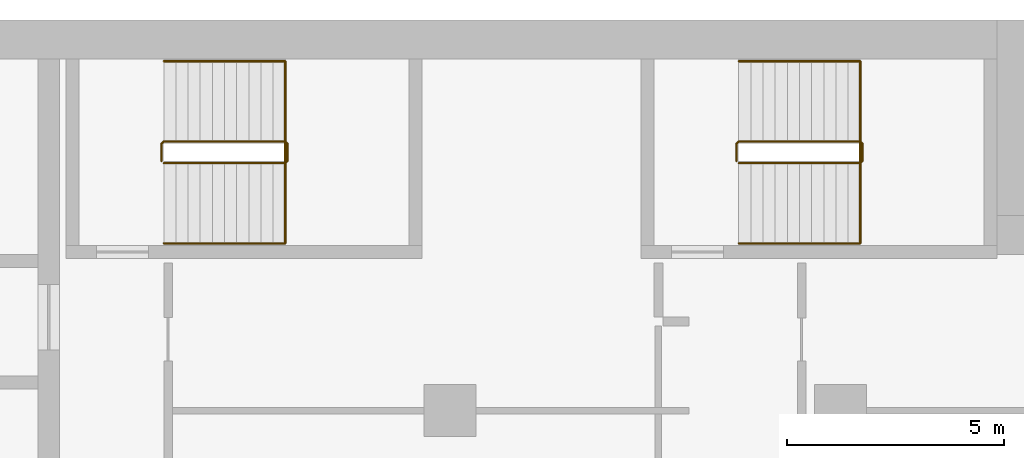
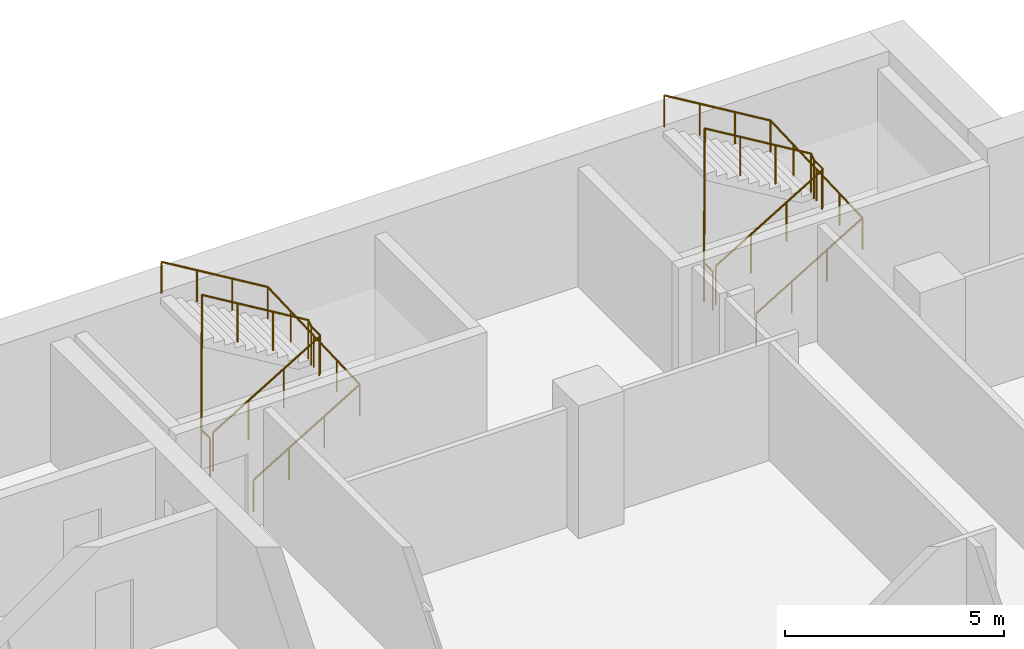
# One storey, part 22 of 22: 4 railings.
"""IFC4 building model written with IfcOpenShell, lengths in metres."""

from ifc_helpers import new_model, si_unit, direction, frame, origin, origin_2d, place, context, subcontext, project, spatial, circle, extrude, material, type_object, element, save


model = new_model("IFC4")

# Units and contexts
model_context = context("Model", 3, precision=1e-05, world=origin(), true_north=direction((0.0, 1.0)))
body_context = subcontext(model_context, "Body", "Model", "MODEL_VIEW")
ifc_project = project(units=[si_unit("LENGTHUNIT", "METRE"), si_unit("AREAUNIT", "SQUARE_METRE"), si_unit("VOLUMEUNIT", "CUBIC_METRE"), si_unit("PLANEANGLEUNIT", "RADIAN"), si_unit("MASSUNIT", "GRAM", prefix="KILO")], contexts=[model_context])

# Site, building, storey
site_placement = place(None, origin())
site = spatial("IfcSite", under=ifc_project, at=site_placement, CompositionType="ELEMENT")
building_placement = place(site_placement, origin())
building = spatial("IfcBuilding", under=site, at=building_placement, Name="Hunhe Ridgeline Campus", CompositionType="ELEMENT")
storey_placement = place(building_placement, frame((0.0, 0.0, 156.0)))
storey = spatial("IfcBuildingStorey", under=building, at=storey_placement, Name="L39", CompositionType="ELEMENT", Elevation=156.0)

# Railings
ifc_material_1 = material(Name="Stainless steel balustrade", Category="steel")
railing_type_1 = type_object("IfcRailingType", Name="Stair guard 1100 stainless", PredefinedType="GUARDRAIL", material=ifc_material_1)
railing_1_placement = place(storey_placement, frame((38.39990234375, 95.699951171875, 0.168212890625)))
element("IfcRailing", 1, at=railing_1_placement, inside=storey, type_object=railing_type_1, Name="L39 stair E1 guard", PredefinedType="GUARDRAIL", context=body_context, shape_type="SweptSolid", body=[
    extrude(circle(Radius=0.02392578125, at=origin_2d()), frame((0.0, 0.0, 1.076171875), z_axis=(0.857242210791, 0.0, 0.514913383045), x_axis=(0.0, 1.0, 0.0)), (0.0, 0.0, 1.0), 3.266357421875),
    extrude(circle(Radius=0.02392578125, at=origin_2d()), frame((2.800048828125, 0.0, 2.7578125), z_axis=(0.707106781187, 0.707106781187, 0.0), x_axis=(-0.707106781187, 0.707106781187, 0.0)), (0.0, 0.0, 1.0), 0.07080078125),
    extrude(circle(Radius=0.02392578125, at=origin_2d()), frame((2.85009765625, 0.050048828125, 2.7578125), z_axis=(0.0, 1.0, 0.0), x_axis=(-1.0, 0.0, 0.0)), (0.0, 0.0, 1.0), 0.39990234375),
    extrude(circle(Radius=0.02392578125, at=origin_2d()), frame((2.85009765625, 0.449951171875, 2.7578125), z_axis=(-0.274582412415, 0.274582412415, 0.921525364591), x_axis=(-0.707106781187, -0.707106781187, 0.0)), (0.0, 0.0, 1.0), 0.182373046875),
    extrude(circle(Radius=0.02392578125, at=origin_2d()), frame((2.800048828125, 0.5, 2.92578125), z_axis=(-0.857242210791, 0.0, 0.514913383045), x_axis=(0.0, -1.0, 0.0)), (0.0, 0.0, 1.0), 3.266357421875),
    extrude(circle(Radius=0.02392578125, at=origin_2d()), frame((0.0, 0.5, 4.60791015625), z_axis=(-0.013458453615, -0.013524426427, -0.999817963389), x_axis=(0.708833529934, -0.705375805398, 0.0)), (0.0, 0.0, 1.0), 3.70068359375),
    extrude(circle(Radius=0.02392578125, at=origin_2d()), frame((-0.0498046875, 0.449951171875, 0.90771484375), z_axis=(0.0, -1.0, 0.0), x_axis=(1.0, 0.0, 0.0)), (0.0, 0.0, 1.0), 0.39990234375),
    extrude(circle(Radius=0.02099609375, at=origin_2d()), origin(), (0.0, 0.0, 1.0), 1.052001953125),
    extrude(circle(Radius=0.02099609375, at=origin_2d()), frame((0.933349609375, 0.0, 0.560546875)), (0.0, 0.0, 1.0), 1.052001953125),
    extrude(circle(Radius=0.02099609375, at=origin_2d()), frame((1.86669921875, 0.0, 1.121337890625)), (0.0, 0.0, 1.0), 1.052001953125),
    extrude(circle(Radius=0.02099609375, at=origin_2d()), frame((2.800048828125, 0.0, 1.681884765625)), (0.0, 0.0, 1.0), 1.052001953125),
    extrude(circle(Radius=0.02099609375, at=origin_2d()), frame((2.85009765625, 0.050048828125, 1.681884765625)), (0.0, 0.0, 1.0), 1.052001953125),
    extrude(circle(Radius=0.02099609375, at=origin_2d()), frame((2.85009765625, 0.449951171875, 1.681884765625)), (0.0, 0.0, 1.0), 1.052001953125),
    extrude(circle(Radius=0.02099609375, at=origin_2d()), frame((2.800048828125, 0.5, 1.849853515625)), (0.0, 0.0, 1.0), 1.052001953125),
    extrude(circle(Radius=0.02099609375, at=origin_2d()), frame((1.86669921875, 0.5, 2.410400390625)), (0.0, 0.0, 1.0), 1.052001953125),
    extrude(circle(Radius=0.02099609375, at=origin_2d()), frame((0.933349609375, 0.5, 2.97119140625)), (0.0, 0.0, 1.0), 1.052001953125),
    extrude(circle(Radius=0.02099609375, at=origin_2d()), frame((0.0, 0.5, 3.53173828125)), (0.0, 0.0, 1.0), 1.052001953125),
    extrude(circle(Radius=0.02099609375, at=origin_2d()), frame((-0.012451171875, 0.487548828125, 2.606689453125)), (0.0, 0.0, 1.0), 1.052001953125),
    extrude(circle(Radius=0.02099609375, at=origin_2d()), frame((-0.02490234375, 0.47509765625, 1.681640625)), (0.0, 0.0, 1.0), 1.052001953125),
    extrude(circle(Radius=0.02099609375, at=origin_2d()), frame((-0.037353515625, 0.46240234375, 0.7568359375)), (0.0, 0.0, 1.0), 1.052001953125),
    extrude(circle(Radius=0.02099609375, at=origin_2d()), frame((-0.0498046875, 0.449951171875, -0.168212890625)), (0.0, 0.0, 1.0), 1.052001953125),
    extrude(circle(Radius=0.02099609375, at=origin_2d()), frame((-0.0498046875, 0.050048828125, -0.168212890625)), (0.0, 0.0, 1.0), 1.052001953125),
])
railing_2_placement = place(storey_placement, frame((51.64990234375, 95.699951171875, 0.168212890625)))
element("IfcRailing", 2, at=railing_2_placement, inside=storey, type_object=railing_type_1, Name="L39 stair E2 guard", PredefinedType="GUARDRAIL", context=body_context, shape_type="SweptSolid", body=[
    extrude(circle(Radius=0.02392578125, at=origin_2d()), frame((0.0, 0.0, 1.076171875), z_axis=(0.857242210791, 0.0, 0.514913383045), x_axis=(0.0, 1.0, 0.0)), (0.0, 0.0, 1.0), 3.266357421875),
    extrude(circle(Radius=0.02392578125, at=origin_2d()), frame((2.800048828125, 0.0, 2.7578125), z_axis=(0.707106781187, 0.707106781187, 0.0), x_axis=(-0.707106781187, 0.707106781187, 0.0)), (0.0, 0.0, 1.0), 0.07080078125),
    extrude(circle(Radius=0.02392578125, at=origin_2d()), frame((2.85009765625, 0.050048828125, 2.7578125), z_axis=(0.0, 1.0, 0.0), x_axis=(-1.0, 0.0, 0.0)), (0.0, 0.0, 1.0), 0.39990234375),
    extrude(circle(Radius=0.02392578125, at=origin_2d()), frame((2.85009765625, 0.449951171875, 2.7578125), z_axis=(-0.274582412415, 0.274582412415, 0.921525364591), x_axis=(-0.707106781187, -0.707106781187, 0.0)), (0.0, 0.0, 1.0), 0.182373046875),
    extrude(circle(Radius=0.02392578125, at=origin_2d()), frame((2.800048828125, 0.5, 2.92578125), z_axis=(-0.857242210791, 0.0, 0.514913383045), x_axis=(0.0, -1.0, 0.0)), (0.0, 0.0, 1.0), 3.266357421875),
    extrude(circle(Radius=0.02392578125, at=origin_2d()), frame((0.0, 0.5, 4.60791015625), z_axis=(-0.013458453615, -0.013524426427, -0.999817963389), x_axis=(0.708833529934, -0.705375805398, 0.0)), (0.0, 0.0, 1.0), 3.70068359375),
    extrude(circle(Radius=0.02392578125, at=origin_2d()), frame((-0.0498046875, 0.449951171875, 0.90771484375), z_axis=(0.0, -1.0, 0.0), x_axis=(1.0, 0.0, 0.0)), (0.0, 0.0, 1.0), 0.39990234375),
    extrude(circle(Radius=0.02099609375, at=origin_2d()), origin(), (0.0, 0.0, 1.0), 1.052001953125),
    extrude(circle(Radius=0.02099609375, at=origin_2d()), frame((0.933349609375, 0.0, 0.560546875)), (0.0, 0.0, 1.0), 1.052001953125),
    extrude(circle(Radius=0.02099609375, at=origin_2d()), frame((1.86669921875, 0.0, 1.121337890625)), (0.0, 0.0, 1.0), 1.052001953125),
    extrude(circle(Radius=0.02099609375, at=origin_2d()), frame((2.800048828125, 0.0, 1.681884765625)), (0.0, 0.0, 1.0), 1.052001953125),
    extrude(circle(Radius=0.02099609375, at=origin_2d()), frame((2.85009765625, 0.050048828125, 1.681884765625)), (0.0, 0.0, 1.0), 1.052001953125),
    extrude(circle(Radius=0.02099609375, at=origin_2d()), frame((2.85009765625, 0.449951171875, 1.681884765625)), (0.0, 0.0, 1.0), 1.052001953125),
    extrude(circle(Radius=0.02099609375, at=origin_2d()), frame((2.800048828125, 0.5, 1.849853515625)), (0.0, 0.0, 1.0), 1.052001953125),
    extrude(circle(Radius=0.02099609375, at=origin_2d()), frame((1.86669921875, 0.5, 2.410400390625)), (0.0, 0.0, 1.0), 1.052001953125),
    extrude(circle(Radius=0.02099609375, at=origin_2d()), frame((0.933349609375, 0.5, 2.97119140625)), (0.0, 0.0, 1.0), 1.052001953125),
    extrude(circle(Radius=0.02099609375, at=origin_2d()), frame((0.0, 0.5, 3.53173828125)), (0.0, 0.0, 1.0), 1.052001953125),
    extrude(circle(Radius=0.02099609375, at=origin_2d()), frame((-0.012451171875, 0.487548828125, 2.606689453125)), (0.0, 0.0, 1.0), 1.052001953125),
    extrude(circle(Radius=0.02099609375, at=origin_2d()), frame((-0.02490234375, 0.47509765625, 1.681640625)), (0.0, 0.0, 1.0), 1.052001953125),
    extrude(circle(Radius=0.02099609375, at=origin_2d()), frame((-0.037353515625, 0.46240234375, 0.7568359375)), (0.0, 0.0, 1.0), 1.052001953125),
    extrude(circle(Radius=0.02099609375, at=origin_2d()), frame((-0.0498046875, 0.449951171875, -0.168212890625)), (0.0, 0.0, 1.0), 1.052001953125),
    extrude(circle(Radius=0.02099609375, at=origin_2d()), frame((-0.0498046875, 0.050048828125, -0.168212890625)), (0.0, 0.0, 1.0), 1.052001953125),
])
ifc_material_2 = material(Name="Stainless steel handrail", Category="steel")
railing_type_2 = type_object("IfcRailingType", Name="Stair handrail 900 stainless", PredefinedType="HANDRAIL", material=ifc_material_2)
railing_3_placement = place(storey_placement, frame((38.39990234375, 93.85009765625, 0.168212890625)))
element("IfcRailing", 3, at=railing_3_placement, inside=storey, type_object=railing_type_2, Name="L39 stair E1 handrail", PredefinedType="HANDRAIL", context=body_context, shape_type="SweptSolid", body=[
    extrude(circle(Radius=0.02392578125, at=origin_2d()), frame((0.0, 0.0, 0.8759765625), z_axis=(0.857242210791, 0.0, 0.514913383045), x_axis=(0.0, 1.0, 0.0)), (0.0, 0.0, 1.0), 3.266357421875),
    extrude(circle(Radius=0.02392578125, at=origin_2d()), frame((2.800048828125, 0.0, 2.5576171875), z_axis=(0.0, 0.99920123705, 0.039961079526), x_axis=(-1.0, 0.0, 0.0)), (0.0, 0.0, 1.0), 4.203369140625),
    extrude(circle(Radius=0.02392578125, at=origin_2d()), frame((2.800048828125, 4.199951171875, 2.7255859375), z_axis=(-0.857242210791, 0.0, 0.514913383045), x_axis=(0.0, -1.0, 0.0)), (0.0, 0.0, 1.0), 3.266357421875),
    extrude(circle(Radius=0.02099609375, at=origin_2d()), origin(), (0.0, 0.0, 1.0), 0.851806640625),
    extrude(circle(Radius=0.02099609375, at=origin_2d()), frame((0.933349609375, 0.0, 0.560546875)), (0.0, 0.0, 1.0), 0.851806640625),
    extrude(circle(Radius=0.02099609375, at=origin_2d()), frame((1.86669921875, 0.0, 1.121337890625)), (0.0, 0.0, 1.0), 0.851806640625),
    extrude(circle(Radius=0.02099609375, at=origin_2d()), frame((2.800048828125, 0.0, 1.681884765625)), (0.0, 0.0, 1.0), 0.851806640625),
    extrude(circle(Radius=0.02099609375, at=origin_2d()), frame((2.800048828125, 1.050048828125, 1.723876953125)), (0.0, 0.0, 1.0), 0.851806640625),
    extrude(circle(Radius=0.02099609375, at=origin_2d()), frame((2.800048828125, 2.10009765625, 1.765869140625)), (0.0, 0.0, 1.0), 0.851806640625),
    extrude(circle(Radius=0.02099609375, at=origin_2d()), frame((2.800048828125, 3.14990234375, 1.807861328125)), (0.0, 0.0, 1.0), 0.851806640625),
    extrude(circle(Radius=0.02099609375, at=origin_2d()), frame((2.800048828125, 4.199951171875, 1.849853515625)), (0.0, 0.0, 1.0), 0.851806640625),
    extrude(circle(Radius=0.02099609375, at=origin_2d()), frame((1.86669921875, 4.199951171875, 2.410400390625)), (0.0, 0.0, 1.0), 0.851806640625),
    extrude(circle(Radius=0.02099609375, at=origin_2d()), frame((0.933349609375, 4.199951171875, 2.97119140625)), (0.0, 0.0, 1.0), 0.851806640625),
    extrude(circle(Radius=0.02099609375, at=origin_2d()), frame((0.0, 4.199951171875, 3.53173828125)), (0.0, 0.0, 1.0), 0.851806640625),
])
railing_4_placement = place(storey_placement, frame((51.64990234375, 93.85009765625, 0.168212890625)))
element("IfcRailing", 4, at=railing_4_placement, inside=storey, type_object=railing_type_2, Name="L39 stair E2 handrail", PredefinedType="HANDRAIL", context=body_context, shape_type="SweptSolid", body=[
    extrude(circle(Radius=0.02392578125, at=origin_2d()), frame((0.0, 0.0, 0.8759765625), z_axis=(0.857242210791, 0.0, 0.514913383045), x_axis=(0.0, 1.0, 0.0)), (0.0, 0.0, 1.0), 3.266357421875),
    extrude(circle(Radius=0.02392578125, at=origin_2d()), frame((2.800048828125, 0.0, 2.5576171875), z_axis=(0.0, 0.99920123705, 0.039961079526), x_axis=(-1.0, 0.0, 0.0)), (0.0, 0.0, 1.0), 4.203369140625),
    extrude(circle(Radius=0.02392578125, at=origin_2d()), frame((2.800048828125, 4.199951171875, 2.7255859375), z_axis=(-0.857242210791, 0.0, 0.514913383045), x_axis=(0.0, -1.0, 0.0)), (0.0, 0.0, 1.0), 3.266357421875),
    extrude(circle(Radius=0.02099609375, at=origin_2d()), origin(), (0.0, 0.0, 1.0), 0.851806640625),
    extrude(circle(Radius=0.02099609375, at=origin_2d()), frame((0.933349609375, 0.0, 0.560546875)), (0.0, 0.0, 1.0), 0.851806640625),
    extrude(circle(Radius=0.02099609375, at=origin_2d()), frame((1.86669921875, 0.0, 1.121337890625)), (0.0, 0.0, 1.0), 0.851806640625),
    extrude(circle(Radius=0.02099609375, at=origin_2d()), frame((2.800048828125, 0.0, 1.681884765625)), (0.0, 0.0, 1.0), 0.851806640625),
    extrude(circle(Radius=0.02099609375, at=origin_2d()), frame((2.800048828125, 1.050048828125, 1.723876953125)), (0.0, 0.0, 1.0), 0.851806640625),
    extrude(circle(Radius=0.02099609375, at=origin_2d()), frame((2.800048828125, 2.10009765625, 1.765869140625)), (0.0, 0.0, 1.0), 0.851806640625),
    extrude(circle(Radius=0.02099609375, at=origin_2d()), frame((2.800048828125, 3.14990234375, 1.807861328125)), (0.0, 0.0, 1.0), 0.851806640625),
    extrude(circle(Radius=0.02099609375, at=origin_2d()), frame((2.800048828125, 4.199951171875, 1.849853515625)), (0.0, 0.0, 1.0), 0.851806640625),
    extrude(circle(Radius=0.02099609375, at=origin_2d()), frame((1.86669921875, 4.199951171875, 2.410400390625)), (0.0, 0.0, 1.0), 0.851806640625),
    extrude(circle(Radius=0.02099609375, at=origin_2d()), frame((0.933349609375, 4.199951171875, 2.97119140625)), (0.0, 0.0, 1.0), 0.851806640625),
    extrude(circle(Radius=0.02099609375, at=origin_2d()), frame((0.0, 4.199951171875, 3.53173828125)), (0.0, 0.0, 1.0), 0.851806640625),
])

save(model, "model.ifc")
